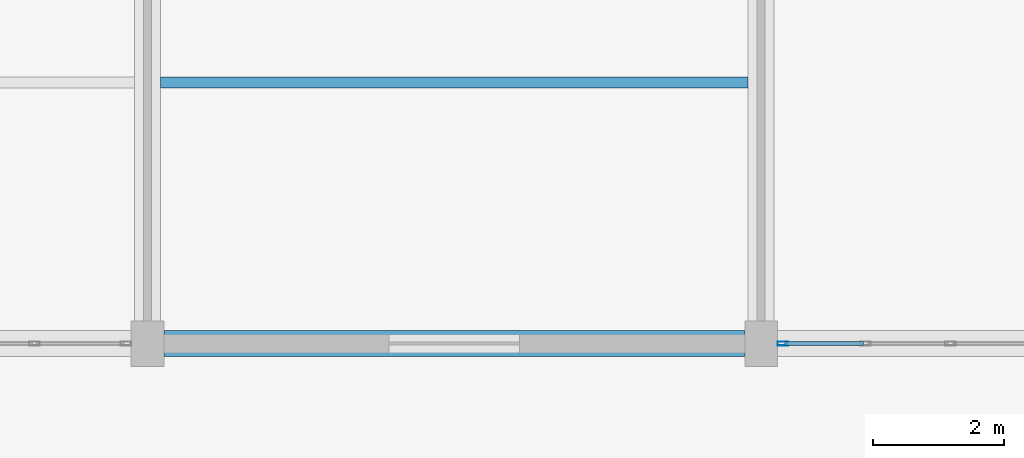
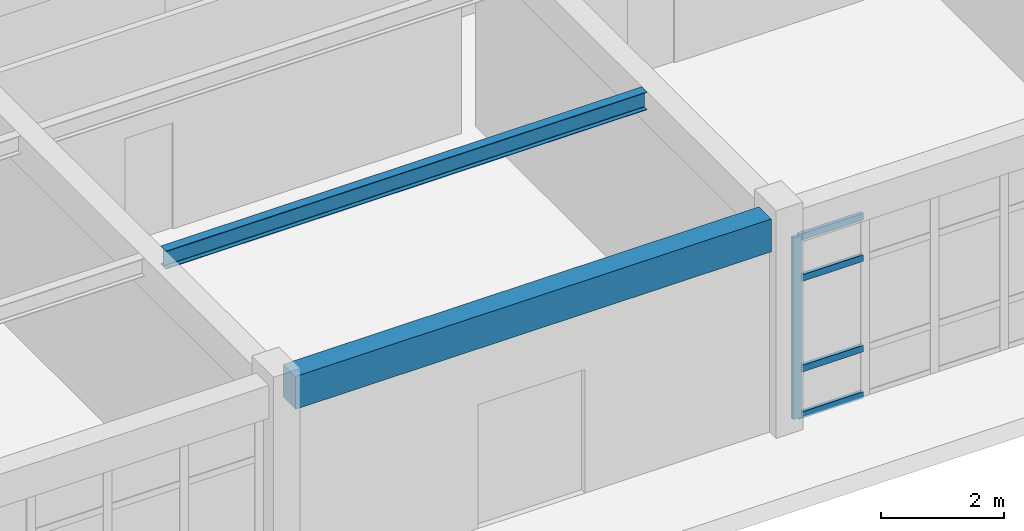
# One storey, part 41 of 154: 5 members, 2 beams, 1 element without a shape of its own.
"""IFC4 building model written with IfcOpenShell, lengths in metres."""

from ifc_helpers import new_model, si_unit, direction, frame, origin, origin_2d, place, context, subcontext, project, spatial, rectangle, hollow_rectangle, i_section, extrude, material, material_profile, profile_set, type_object, element, aggregate, save


model = new_model("IFC4")

# Units and contexts
model_context = context("Model", 3, precision=1e-05, world=origin(), true_north=direction((0.0, 1.0)))
body_context = subcontext(model_context, "Body", "Model", "MODEL_VIEW")
ifc_project = project(units=[si_unit("LENGTHUNIT", "METRE"), si_unit("AREAUNIT", "SQUARE_METRE"), si_unit("VOLUMEUNIT", "CUBIC_METRE"), si_unit("PLANEANGLEUNIT", "RADIAN"), si_unit("MASSUNIT", "GRAM", prefix="KILO")], contexts=[model_context])

# Site, building, storey
site_placement = place(None, origin())
site = spatial("IfcSite", under=ifc_project, at=site_placement, CompositionType="ELEMENT")
building_placement = place(site_placement, origin())
building = spatial("IfcBuilding", under=site, at=building_placement, Name="Kestramere Prow Commons", CompositionType="ELEMENT")
storey_placement = place(building_placement, origin())
storey = spatial("IfcBuildingStorey", under=building, at=storey_placement, Name="L00", CompositionType="ELEMENT", Elevation=0.0)

# Beam
ifc_material_1 = material(Name="Precast concrete C40/50", Category="concrete")
ifc_material_profile_1 = material_profile(ifc_material_1, rectangle(XDim=0.39990234375, YDim=0.64990234375, at=origin_2d()), Name="PC-BM 400x650")
ifc_profile_set_1 = profile_set([ifc_material_profile_1], Name="Precast concrete C40/50")
beam_type_1 = type_object("IfcBeamType", Name="BM-MK-01 PC-BM 400x650 (EX)", PredefinedType="BEAM", material=ifc_profile_set_1)
beam_1_placement = place(storey_placement, frame((94.449951171875, 0.0, 3.925048828125), z_axis=(1.0, 0.0, 0.0), x_axis=(0.0, 1.0, 0.0)))
element("IfcBeam", 1, at=beam_1_placement, inside=storey, type_object=beam_type_1, Name="Market Spine L00 Beam X 1-5", PredefinedType="BEAM", context=body_context, shape_type="SweptSolid", body=[
    extrude(rectangle(XDim=0.39990234375, YDim=0.64990234375, at=origin_2d()), origin(), (0.0, 0.0, 1.0), 8.900146484375),
])

# Curtain wall, members
ifc_material_2 = material(Name="Anodised Aluminium and Low-E Glass", Category="aluminium")
curtain_wall_type = type_object("IfcCurtainWallType", Name="CW-19 Glazed Curtain Wall 7800x3590", PredefinedType="USERDEFINED", material=ifc_material_2)
curtain_wall_placement = place(storey_placement, origin())
curtain_wall = element("IfcCurtainWall", 2, at=curtain_wall_placement, inside=storey, type_object=curtain_wall_type, Name="Market L00 South Shopfront 6", ObjectType="GLAZED CURTAIN WALL", PredefinedType="USERDEFINED")
ifc_material_3 = material(Name="Anodised Aluminium 6063-T6", Category="aluminium")
ifc_material_profile_2 = material_profile(ifc_material_3, hollow_rectangle(XDim=0.06494140625, YDim=0.159912109375, WallThickness=0.00390625, at=origin_2d()), Name="ALU-MUL 65x160")
ifc_profile_set_2 = profile_set([ifc_material_profile_2], Name="Anodised Aluminium 6063-T6")
member_type_1 = type_object("IfcMemberType", Name="CW-MUL-65x160", PredefinedType="MULLION", material=ifc_profile_set_2)
member_1_placement = place(storey_placement, frame((103.9326171875, 0.0, 0.0), z_axis=(0.0, 0.0, 1.0), x_axis=(0.0, -1.0, 0.0)))
member_1 = element("IfcMember", 3, at=member_1_placement, type_object=member_type_1, Name="CW-19 mullion 7", PredefinedType="MULLION", context=body_context, shape_type="SweptSolid", body=[
    extrude(hollow_rectangle(XDim=0.06494140625, YDim=0.159912109375, WallThickness=0.00390625, at=origin_2d()), origin(), (0.0, 0.0, 1.0), 3.590087890625),
])
ifc_material_profile_3 = material_profile(ifc_material_3, hollow_rectangle(XDim=0.06494140625, YDim=0.1298828125, WallThickness=0.00390625, at=origin_2d()), Name="ALU-TRN 65x130")
ifc_profile_set_3 = profile_set([ifc_material_profile_3], Name="Anodised Aluminium 6063-T6")
member_type_2 = type_object("IfcMemberType", Name="CW-TRN-65x130", PredefinedType="USERDEFINED", material=ifc_profile_set_3)
member_2_placement = place(storey_placement, frame((105.16748046875, 0.0, 0.032470703125), z_axis=(-1.0, 0.0, 0.0), x_axis=(0.0, -1.0, 0.0)))
member_2 = element("IfcMember", 4, at=member_2_placement, type_object=member_type_2, Name="CW-19 transom 6.1", ObjectType="TRANSOM", PredefinedType="USERDEFINED", context=body_context, shape_type="SweptSolid", body=[
    extrude(hollow_rectangle(XDim=0.06494140625, YDim=0.1298828125, WallThickness=0.00390625, at=origin_2d()), origin(), (0.0, 0.0, 1.0), 1.202392578125),
])
member_3_placement = place(storey_placement, frame((105.16748046875, 0.0, 0.949951171875), z_axis=(-1.0, 0.0, 0.0), x_axis=(0.0, -1.0, 0.0)))
member_3 = element("IfcMember", 5, at=member_3_placement, type_object=member_type_2, Name="CW-19 transom 6.2", ObjectType="TRANSOM", PredefinedType="USERDEFINED", context=body_context, shape_type="SweptSolid", body=[
    extrude(hollow_rectangle(XDim=0.06494140625, YDim=0.1298828125, WallThickness=0.00390625, at=origin_2d()), origin(), (0.0, 0.0, 1.0), 1.202392578125),
])
member_4_placement = place(storey_placement, frame((105.16748046875, 0.0, 2.739990234375), z_axis=(-1.0, 0.0, 0.0), x_axis=(0.0, -1.0, 0.0)))
member_4 = element("IfcMember", 6, at=member_4_placement, type_object=member_type_2, Name="CW-19 transom 6.3", ObjectType="TRANSOM", PredefinedType="USERDEFINED", context=body_context, shape_type="SweptSolid", body=[
    extrude(hollow_rectangle(XDim=0.06494140625, YDim=0.1298828125, WallThickness=0.00390625, at=origin_2d()), origin(), (0.0, 0.0, 1.0), 1.202392578125),
])
member_5_placement = place(storey_placement, frame((105.16748046875, 0.0, 3.5576171875), z_axis=(-1.0, 0.0, 0.0), x_axis=(0.0, -1.0, 0.0)))
member_5 = element("IfcMember", 7, at=member_5_placement, type_object=member_type_2, Name="CW-19 transom 6.4", ObjectType="TRANSOM", PredefinedType="USERDEFINED", context=body_context, shape_type="SweptSolid", body=[
    extrude(hollow_rectangle(XDim=0.06494140625, YDim=0.1298828125, WallThickness=0.00390625, at=origin_2d()), origin(), (0.0, 0.0, 1.0), 1.202392578125),
])
aggregate(curtain_wall, [member_1, member_2, member_3, member_4, member_5])

# Beam
ifc_material_4 = material(Name="Steel S355JR", Category="steel")
ifc_material_profile_4 = material_profile(ifc_material_4, i_section(OverallWidth=0.17138671875, OverallDepth=0.35498046875, WebThickness=0.00732421875, FlangeThickness=0.011474609375, FilletRadius=0.01025390625, at=origin_2d()), Name="UB 356x171x51")
ifc_profile_set_4 = profile_set([ifc_material_profile_4], Name="Steel S355JR")
beam_type_2 = type_object("IfcBeamType", Name="JST-MK-01 UB 356x171x51", PredefinedType="JOIST", material=ifc_profile_set_4)
beam_2_placement = place(storey_placement, frame((94.39990234375, 4.0, 4.072509765625), z_axis=(1.0, 0.0, 0.0), x_axis=(0.0, 1.0, 0.0)))
element("IfcBeam", 8, at=beam_2_placement, inside=storey, type_object=beam_type_2, Name="Market Spine L00 Secondary Joist 5-4", PredefinedType="JOIST", context=body_context, shape_type="SweptSolid", body=[
    extrude(i_section(OverallWidth=0.17138671875, OverallDepth=0.35498046875, WebThickness=0.00732421875, FlangeThickness=0.011474609375, FilletRadius=0.01025390625, at=origin_2d()), origin(), (0.0, 0.0, 1.0), 9.0),
])

save(model, "model.ifc")
